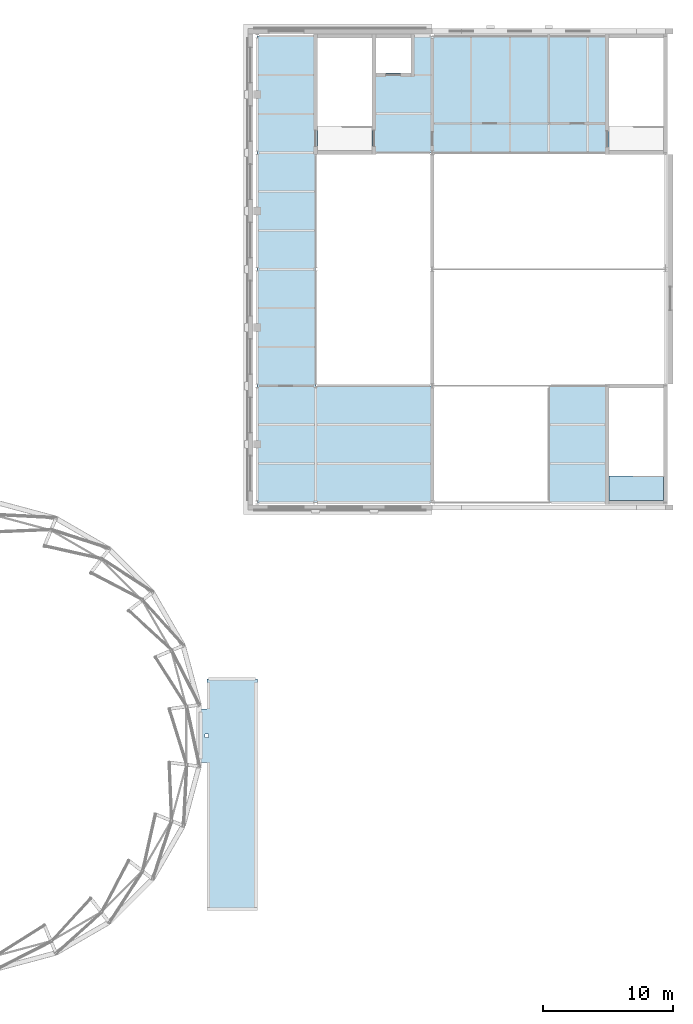
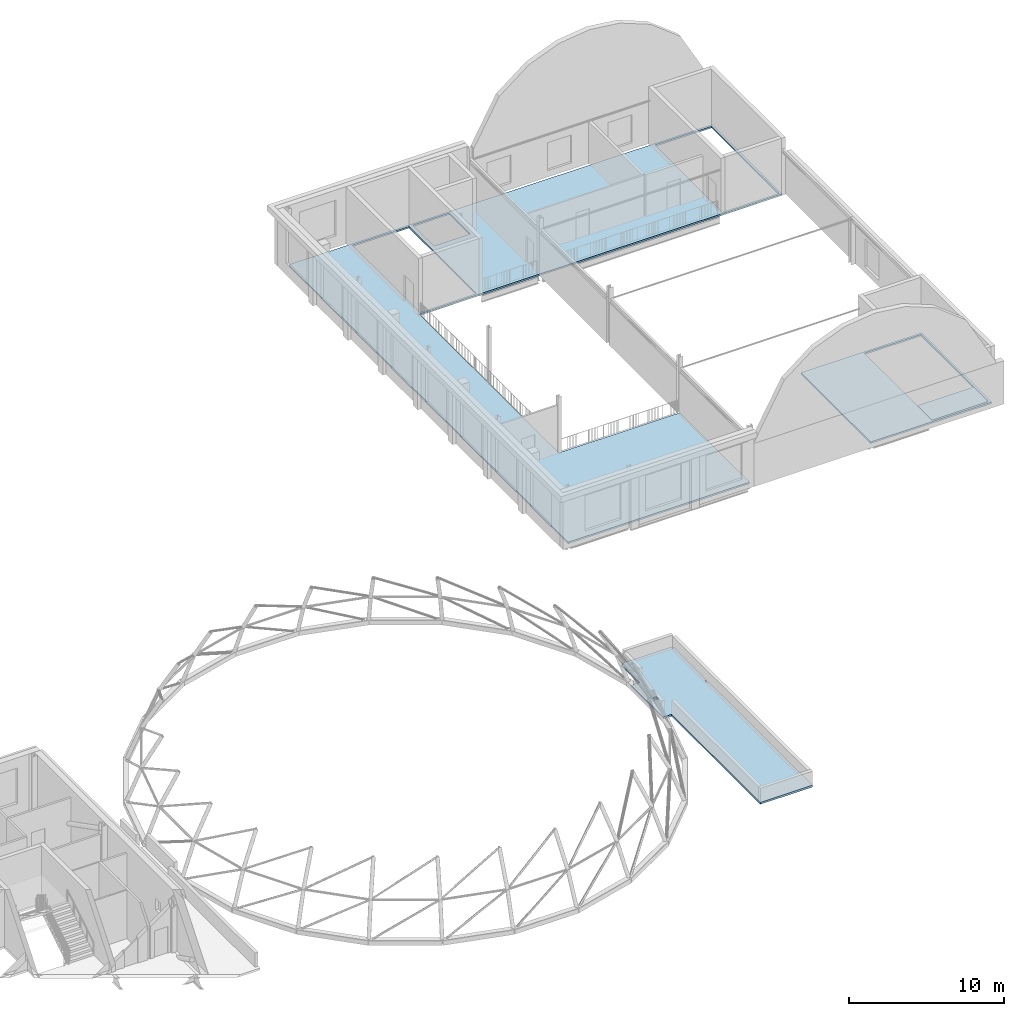
# One storey, part 20 of 59: 4 slabs.
"""IFC4 building model written with IfcOpenShell, lengths in metres."""

from ifc_helpers import new_model, si_unit, direction, frame, origin, place, context, subcontext, project, spatial, polyline, outline, extrude, material, layer, layer_set, type_object, element, save


model = new_model("IFC4")

# Units and contexts
model_context = context("Model", 3, precision=1e-05, world=origin(), true_north=direction((0.0, 1.0)))
body_context = subcontext(model_context, "Body", "Model", "MODEL_VIEW")
ifc_project = project(units=[si_unit("LENGTHUNIT", "METRE"), si_unit("AREAUNIT", "SQUARE_METRE"), si_unit("VOLUMEUNIT", "CUBIC_METRE"), si_unit("PLANEANGLEUNIT", "RADIAN"), si_unit("MASSUNIT", "GRAM", prefix="KILO")], contexts=[model_context])

# Site, building, storey
site_placement = place(None, origin())
site = spatial("IfcSite", under=ifc_project, at=site_placement, CompositionType="ELEMENT")
building_placement = place(site_placement, origin())
building = spatial("IfcBuilding", under=site, at=building_placement, Name="Hortulan Conservatory and Botanical Research Centre", CompositionType="ELEMENT")
storey_placement = place(building_placement, frame((0.0, 0.0, 10.5)))
storey = spatial("IfcBuildingStorey", under=building, at=storey_placement, Name="L02", CompositionType="ELEMENT", Elevation=10.5)

# Slabs
ifc_material_1 = material(Name="Concrete N32 (32 MPa, AS 3600)", Category="concrete")
ifc_layer_1 = layer(ifc_material_1, 0.1298828125)
ifc_layer_set_1 = layer_set([ifc_layer_1], Name="Composite Floor Slab 130")
slab_type_1 = type_object("IfcSlabType", Name="Composite Floor Slab 130", PredefinedType="FLOOR", material=ifc_layer_set_1)
slab_1_placement = place(storey_placement, frame((0.0, 0.0, -0.1298828125)))
element("IfcSlab", 1, at=slab_1_placement, inside=storey, type_object=slab_type_1, Name="Floor slab", PredefinedType="FLOOR", context=body_context, shape_type="SweptSolid", body=[
    extrude(outline(polyline([(90.0, 72.0), (76.5, 72.0), (76.5, 36.0), (90.0, 36.0), (90.0, 45.0), (81.0, 45.0), (81.0, 63.0), (90.0, 63.0), (108.0, 63.0), (108.0, 72.0), (90.0, 72.0)]), holes=[polyline([(81.14990234375, 63.14990234375), (85.35009765625, 63.14990234375), (85.35009765625, 71.85009765625), (81.14990234375, 71.85009765625), (81.14990234375, 63.14990234375)]), polyline([(103.64990234375, 71.85009765625), (103.64990234375, 63.14990234375), (107.85009765625, 63.14990234375), (107.85009765625, 71.85009765625), (103.64990234375, 71.85009765625)]), polyline([(85.64990234375, 71.85009765625), (85.64990234375, 69.14990234375), (88.35009765625, 69.14990234375), (88.35009765625, 71.85009765625), (85.64990234375, 71.85009765625)])]), origin(), (0.0, 0.0, 1.0), 0.1298828125),
])
slab_2_placement = place(storey_placement, frame((0.0, 0.0, -0.1298828125)))
element("IfcSlab", 2, at=slab_2_placement, inside=storey, type_object=slab_type_1, Name="Floor slab", PredefinedType="FLOOR", context=body_context, shape_type="SweptSolid", body=[
    extrude(outline(polyline([(103.5, 45.0), (99.0, 45.0), (99.0, 36.0), (103.5, 36.0), (108.0, 36.0), (108.0, 45.0), (103.5, 45.0)]), holes=[polyline([(103.64990234375, 36.14990234375), (107.85009765625, 36.14990234375), (107.85009765625, 44.85009765625), (103.64990234375, 44.85009765625), (103.64990234375, 36.14990234375)])]), origin(), (0.0, 0.0, 1.0), 0.1298828125),
])
ifc_material_2 = material(Name="Concrete N40 (40 MPa, AS 3600)", Category="concrete")
ifc_layer_2 = layer(ifc_material_2, 0.14990234375)
ifc_layer_set_2 = layer_set([ifc_layer_2], Name="Head Link Roof Slab 150")
slab_type_2 = type_object("IfcSlabType", Name="Head Link Roof Slab 150", PredefinedType="ROOF", material=ifc_layer_set_2)
slab_3_placement = place(storey_placement, frame((0.0, 0.0, -0.14990234375)))
element("IfcSlab", 3, at=slab_3_placement, inside=storey, type_object=slab_type_2, Name="HE roof slab 1", PredefinedType="ROOF", context=body_context, shape_type="SweptSolid", body=[
    extrude(outline(polyline([(76.364990234375, 22.5), (76.364990234375, 22.364990234375), (76.5, 22.364990234375), (76.5, 18.135009765625), (76.364990234375, 18.135009765625), (76.364990234375, 17.864990234375), (76.5, 17.864990234375), (76.5, 4.5), (72.60009765625, 4.5), (72.60009765625, 15.930419921875), (72.0, 15.930419921875), (72.0, 20.069580078125), (72.60009765625, 20.069580078125), (72.60009765625, 22.364990234375), (72.735107421875, 22.364990234375), (72.735107421875, 22.5), (76.364990234375, 22.5)]), holes=[polyline([(72.465087890625, 18.135009765625), (72.465087890625, 17.864990234375), (72.735107421875, 17.864990234375), (72.735107421875, 18.135009765625), (72.465087890625, 18.135009765625)])]), origin(), (0.0, 0.0, 1.0), 0.14990234375),
])
ifc_layer_3 = layer(ifc_material_2, 0.199951171875)
ifc_layer_set_3 = layer_set([ifc_layer_3], Name="Stair Landing 200")
slab_type_3 = type_object("IfcSlabType", Name="Stair Landing 200", PredefinedType="LANDING", material=ifc_layer_set_3)
slab_4_placement = place(storey_placement, frame((0.0, 0.0, -0.199951171875)))
element("IfcSlab", 4, at=slab_4_placement, inside=storey, type_object=slab_type_3, Name="Stair A2 floor landing L02", PredefinedType="LANDING", context=body_context, shape_type="SweptSolid", body=[
    extrude(outline(polyline([(107.85009765625, 36.14990234375), (103.64990234375, 36.14990234375), (103.64990234375, 38.050048828125), (107.85009765625, 38.050048828125), (107.85009765625, 36.14990234375)])), origin(), (0.0, 0.0, 1.0), 0.199951171875),
])

save(model, "model.ifc")
